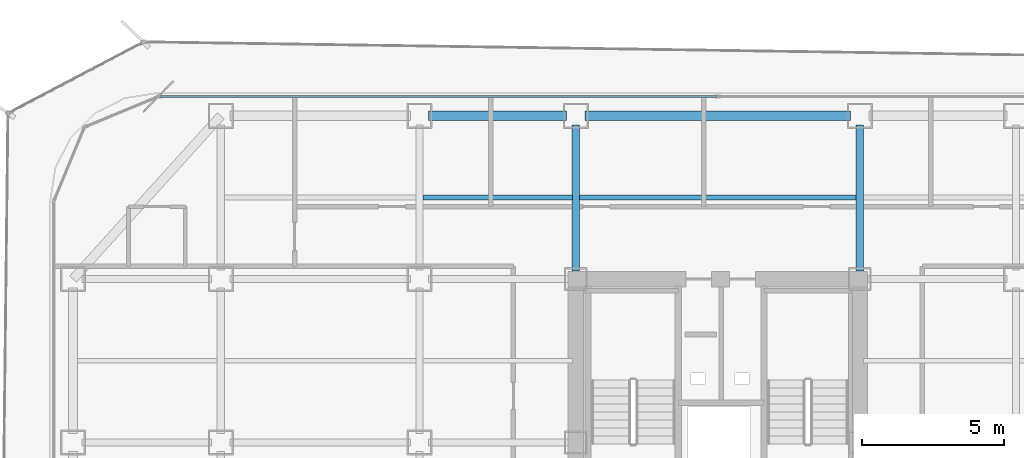
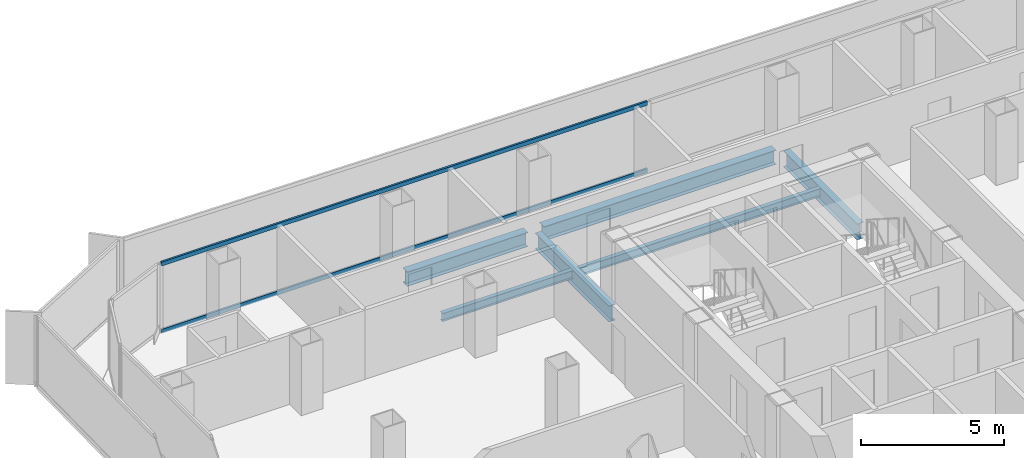
# One storey, part 11 of 21: 6 beams, 2 members, 1 element without a shape of its own.
"""IFC4 building model written with IfcOpenShell, lengths in metres."""

from ifc_helpers import new_model, si_unit, direction, frame, origin, origin_2d, place, context, subcontext, project, spatial, hollow_rectangle, i_section, extrude, source, transform, mapped, material, layer, layer_set, material_profile, profile_set, type_object, element, aggregate, save


model = new_model("IFC4")

# Units and contexts
model_context = context("Model", 3, precision=1e-05, world=origin(), true_north=direction((0.0, 1.0)))
body_context = subcontext(model_context, "Body", "Model", "MODEL_VIEW")
ifc_project = project(units=[si_unit("LENGTHUNIT", "METRE"), si_unit("AREAUNIT", "SQUARE_METRE"), si_unit("VOLUMEUNIT", "CUBIC_METRE"), si_unit("PLANEANGLEUNIT", "RADIAN"), si_unit("MASSUNIT", "GRAM", prefix="KILO")], contexts=[model_context])

# Site, building, storey
site_placement = place(None, origin())
site = spatial("IfcSite", under=ifc_project, at=site_placement, CompositionType="ELEMENT")
building_placement = place(site_placement, origin())
building = spatial("IfcBuilding", under=site, at=building_placement, Name="Kolveth Station Tower", CompositionType="ELEMENT")
storey_placement = place(building_placement, frame((0.0, 0.0, 115.10009765625)))
storey = spatial("IfcBuildingStorey", under=building, at=storey_placement, Name="L31", CompositionType="ELEMENT", Elevation=115.10009765625)

# Beams
ifc_material_1 = material(Name="Steel S355", Category="steel")
ifc_material_profile_1 = material_profile(ifc_material_1, i_section(OverallWidth=0.323974609375, OverallDepth=0.611083984375, WebThickness=0.0126953125, FlangeThickness=0.01904296875, at=origin_2d()), Name="W610x155")
ifc_profile_set_1 = profile_set([ifc_material_profile_1], Name="Steel S355")
beam_type_1 = type_object("IfcBeamType", Name="Beam_SP2", PredefinedType="SPANDREL", material=ifc_profile_set_1)
shared_shape_1 = source(origin(), body_context, "Body", "SweptSolid", [
    extrude(i_section(OverallWidth=0.323974609375, OverallDepth=0.611083984375, WebThickness=0.0126953125, FlangeThickness=0.01904296875, at=origin_2d()), origin(), (0.0, 0.0, 1.0), 4.85986328125),
])
beam_1_placement = place(storey_placement, frame((13.320068359375, 34.5, -0.5556640625), z_axis=(1.0, 0.0, 0.0), x_axis=(0.0, 1.0, 0.0)))
element("IfcBeam", 1, at=beam_1_placement, inside=storey, type_object=beam_type_1, Name="L31 Perimeter Spandrel BM-L31-PN-2", PredefinedType="SPANDREL", context=body_context, shape_type="MappedRepresentation", body=[
    mapped(shared_shape_1, transform((0.0, 0.0, 0.0), x_axis=(1.0, 0.0, 0.0), y_axis=(0.0, 1.0, 0.0), z_axis=(0.0, 0.0, 1.0), scale=1.0)),
])
shared_shape_2 = source(origin(), body_context, "Body", "SweptSolid", [
    extrude(i_section(OverallWidth=0.323974609375, OverallDepth=0.611083984375, WebThickness=0.0126953125, FlangeThickness=0.01904296875, at=origin_2d()), origin(), (0.0, 0.0, 1.0), 9.35986328125),
])
beam_2_placement = place(storey_placement, frame((18.820068359375, 34.5, -0.5556640625), z_axis=(1.0, 0.0, 0.0), x_axis=(0.0, 1.0, 0.0)))
element("IfcBeam", 2, at=beam_2_placement, inside=storey, type_object=beam_type_1, Name="L31 Perimeter Spandrel BM-L31-PN-3", PredefinedType="SPANDREL", context=body_context, shape_type="MappedRepresentation", body=[
    mapped(shared_shape_2, transform((0.0, 0.0, 0.0), x_axis=(1.0, 0.0, 0.0), y_axis=(0.0, 1.0, 0.0), z_axis=(0.0, 0.0, 1.0), scale=1.0)),
])
ifc_material_profile_2 = material_profile(ifc_material_1, i_section(OverallWidth=0.25390625, OverallDepth=0.68798828125, WebThickness=0.01318359375, FlangeThickness=0.02099609375, at=origin_2d()), Name="W690x152")
ifc_profile_set_2 = profile_set([ifc_material_profile_2], Name="Steel S355")
beam_type_2 = type_object("IfcBeamType", Name="Beam_B4", PredefinedType="BEAM", material=ifc_profile_set_2)
shared_shape_3 = source(origin(), body_context, "Body", "SweptSolid", [
    extrude(i_section(OverallWidth=0.25390625, OverallDepth=0.68798828125, WebThickness=0.01318359375, FlangeThickness=0.02099609375, at=origin_2d()), origin(), (0.0, 0.0, 1.0), 5.14990234375),
])
for number, where, z_axis, x_axis, name in (
    (3, (18.5, 29.030029296875, -0.593994140625), (0.0, 1.0, 0.0), (-1.0, 0.0, 0.0), "L31 Primary Girder BM-L31-GX185-6"),
    (4, (28.5, 29.030029296875, -0.593994140625), (0.0, 1.0, 0.0), (-1.0, 0.0, 0.0), "L31 Primary Girder BM-L31-GX285-6"),
):
    element("IfcBeam", number, at=place(storey_placement, frame(where, z_axis=z_axis, x_axis=x_axis)), inside=storey, type_object=beam_type_2, Name=name, PredefinedType="BEAM", context=body_context, shape_type="MappedRepresentation", body=[
        mapped(shared_shape_3, transform((0.0, 0.0, 0.0), x_axis=(1.0, 0.0, 0.0), y_axis=(0.0, 1.0, 0.0), z_axis=(0.0, 0.0, 1.0), scale=1.0)),
    ])
ifc_material_profile_3 = material_profile(ifc_material_1, i_section(OverallWidth=0.1708984375, OverallDepth=0.35205078125, WebThickness=0.0068359375, FlangeThickness=0.009765625, at=origin_2d()), Name="W360x44")
ifc_profile_set_3 = profile_set([ifc_material_profile_3], Name="Steel S355")
beam_type_3 = type_object("IfcBeamType", Name="Beam_J2", PredefinedType="JOIST", material=ifc_profile_set_3)
shared_shape_4 = source(origin(), body_context, "Body", "SweptSolid", [
    extrude(i_section(OverallWidth=0.1708984375, OverallDepth=0.35205078125, WebThickness=0.0068359375, FlangeThickness=0.009765625, at=origin_2d()), origin(), (0.0, 0.0, 1.0), 5.25),
])
beam_3_placement = place(storey_placement, frame((13.125, 31.625, -0.426025390625), z_axis=(1.0, 0.0, 0.0), x_axis=(0.0, 1.0, 0.0)))
element("IfcBeam", 5, at=beam_3_placement, inside=storey, type_object=beam_type_3, Name="L31 Secondary Joist JST-L31-3-6", PredefinedType="JOIST", context=body_context, shape_type="MappedRepresentation", body=[
    mapped(shared_shape_4, transform((0.0, 0.0, 0.0), x_axis=(1.0, 0.0, 0.0), y_axis=(0.0, 1.0, 0.0), z_axis=(0.0, 0.0, 1.0), scale=1.0)),
])
shared_shape_5 = source(origin(), body_context, "Body", "SweptSolid", [
    extrude(i_section(OverallWidth=0.1708984375, OverallDepth=0.35205078125, WebThickness=0.0068359375, FlangeThickness=0.009765625, at=origin_2d()), origin(), (0.0, 0.0, 1.0), 9.75),
])
beam_4_placement = place(storey_placement, frame((18.625, 31.625, -0.426025390625), z_axis=(1.0, 0.0, 0.0), x_axis=(0.0, 1.0, 0.0)))
element("IfcBeam", 6, at=beam_4_placement, inside=storey, type_object=beam_type_3, Name="L31 Secondary Joist JST-L31-4-6", PredefinedType="JOIST", context=body_context, shape_type="MappedRepresentation", body=[
    mapped(shared_shape_5, transform((0.0, 0.0, 0.0), x_axis=(1.0, 0.0, 0.0), y_axis=(0.0, 1.0, 0.0), z_axis=(0.0, 0.0, 1.0), scale=1.0)),
])

# Curtain wall, members
ifc_material_2 = material(Name="Aluminium 6063-T6 and low-E dark glass", Category="aluminium")
ifc_layer = layer(ifc_material_2, 0.18994140625)
ifc_layer_set = layer_set([ifc_layer], Name="Aluminium 6063-T6 and low-E dark glass")
curtain_wall_type = type_object("IfcCurtainWallType", Name="CurtainWall_CW-Z2", PredefinedType="NOTDEFINED", material=ifc_layer_set)
curtain_wall_placement = place(storey_placement, origin())
curtain_wall = element("IfcCurtainWall", 7, at=curtain_wall_placement, inside=storey, type_object=curtain_wall_type, Name="L31 Inner Thermal Curtain Wall 6", PredefinedType="NOTDEFINED")
ifc_material_3 = material(Name="Black anodized aluminium 6063-T6", Category="aluminium")
ifc_material_profile_4 = material_profile(ifc_material_3, hollow_rectangle(XDim=0.080078125, YDim=0.169921875, WallThickness=0.0048828125, at=origin_2d()), Name="ALU-80x170x5")
ifc_profile_set_4 = profile_set([ifc_material_profile_4], Name="Black anodized aluminium 6063-T6")
member_type = type_object("IfcMemberType", Name="Transom_TR2", PredefinedType="USERDEFINED", material=ifc_profile_set_4)
shared_shape_6 = source(origin(), body_context, "Body", "SweptSolid", [
    extrude(hollow_rectangle(XDim=0.080078125, YDim=0.169921875, WallThickness=0.0048828125, at=origin_2d()), origin(), (0.0, 0.0, 1.0), 19.580078125),
])
member_1_placement = place(storey_placement, frame((23.4599609375, 35.179931640625, 0.039794921875), z_axis=(-1.0, 0.0, 0.0), x_axis=(0.0, -1.0, 0.0)))
member_1 = element("IfcMember", 8, at=member_1_placement, type_object=member_type, Name="CW-Z2 transom 2.1", ObjectType="TRANSOM", PredefinedType="USERDEFINED", context=body_context, shape_type="MappedRepresentation", body=[
    mapped(shared_shape_6, transform((0.0, 0.0, 0.0), x_axis=(1.0, 0.0, 0.0), y_axis=(0.0, 1.0, 0.0), z_axis=(0.0, 0.0, 1.0), scale=1.0)),
])
member_2_placement = place(storey_placement, frame((23.4599609375, 35.179931640625, 2.909912109375), z_axis=(-1.0, 0.0, 0.0), x_axis=(0.0, -1.0, 0.0)))
member_2 = element("IfcMember", 9, at=member_2_placement, type_object=member_type, Name="CW-Z2 transom 2.2", ObjectType="TRANSOM", PredefinedType="USERDEFINED", context=body_context, shape_type="MappedRepresentation", body=[
    mapped(shared_shape_6, transform((0.0, 0.0, 0.0), x_axis=(1.0, 0.0, 0.0), y_axis=(0.0, 1.0, 0.0), z_axis=(0.0, 0.0, 1.0), scale=1.0)),
])
aggregate(curtain_wall, [member_1, member_2])

save(model, "model.ifc")
